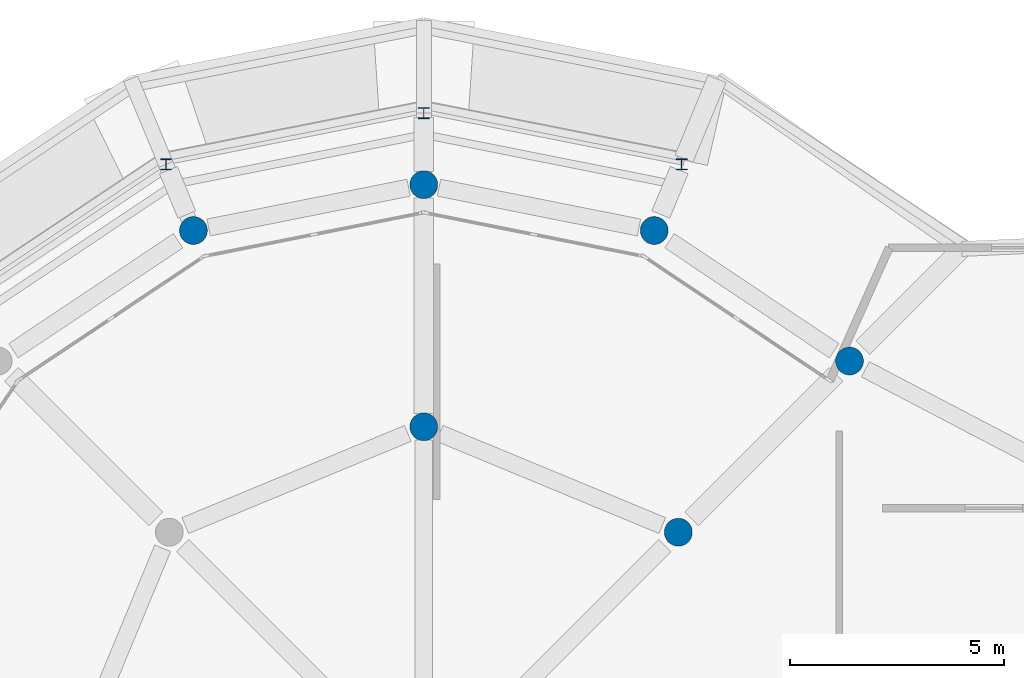
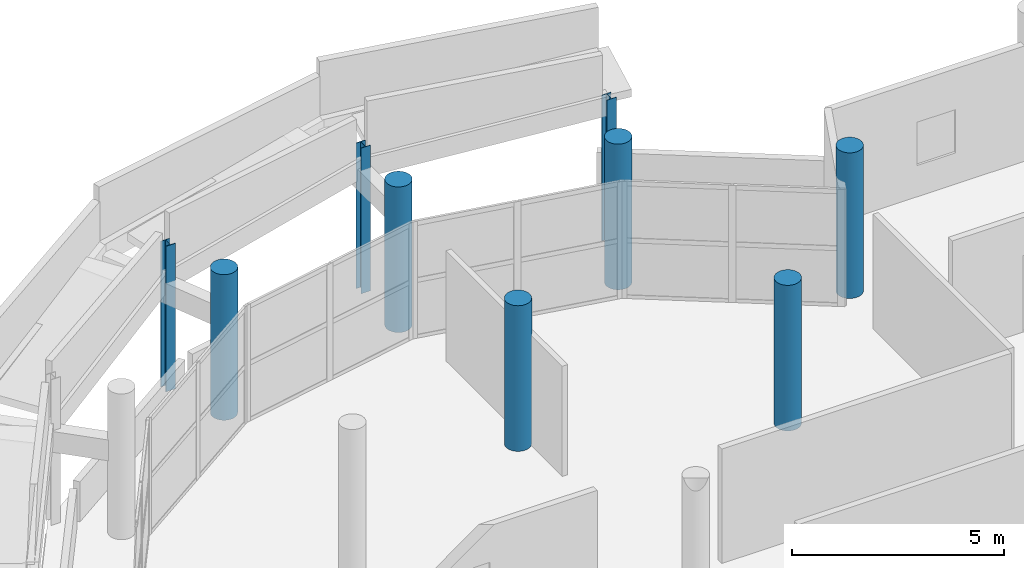
# One storey, part 4 of 83: 9 columns.
"""IFC4 building model written with IfcOpenShell, lengths in metres."""

from ifc_helpers import new_model, si_unit, direction, frame, origin, origin_2d, place, context, subcontext, project, spatial, circle, i_section, extrude, material, material_profile, profile_set, type_object, element, save


model = new_model("IFC4")

# Units and contexts
model_context = context("Model", 3, precision=1e-05, world=origin(), true_north=direction((0.0, 1.0)))
body_context = subcontext(model_context, "Body", "Model", "MODEL_VIEW")
ifc_project = project(units=[si_unit("LENGTHUNIT", "METRE"), si_unit("AREAUNIT", "SQUARE_METRE"), si_unit("VOLUMEUNIT", "CUBIC_METRE"), si_unit("PLANEANGLEUNIT", "RADIAN"), si_unit("MASSUNIT", "GRAM", prefix="KILO")], contexts=[model_context])

# Site, building, storey
site_placement = place(None, origin())
site = spatial("IfcSite", under=ifc_project, at=site_placement, CompositionType="ELEMENT")
building_placement = place(site_placement, origin())
building = spatial("IfcBuilding", under=site, at=building_placement, Name="Jelvoka-Kovrelna Polytechnic", CompositionType="ELEMENT")
storey_placement = place(building_placement, frame((0.0, 0.0, 13.800048828125)))
storey = spatial("IfcBuildingStorey", under=building, at=storey_placement, Name="L04", CompositionType="ELEMENT", Elevation=13.800048828125)

# Columns
ifc_material_1 = material(Name="Concrete C40/50", Category="concrete")
ifc_material_profile_1 = material_profile(ifc_material_1, circle(Radius=0.324951171875, at=origin_2d()), Name="RC D650")
ifc_profile_set_1 = profile_set([ifc_material_profile_1], Name="Concrete C40/50")
column_type_1 = type_object("IfcColumnType", Name="Col_RC_D650", PredefinedType="COLUMN", material=ifc_profile_set_1)
for number, where, z_axis, x_axis, name in (
    (1, (31.439697265625, 48.439697265625, 0.0), (0.0, 0.0, 1.0), (1.0, 0.0, 0.0), "L04 column 0928"),
    (2, (25.5, 50.89990234375, 0.0), (0.0, 0.0, 1.0), (1.0, 0.0, 0.0), "L04 column 0940"),
    (3, (35.434814453125, 52.434814453125, 0.0), (0.0, 0.0, 1.0), (1.0, 0.0, 0.0), "L04 column 0952"),
    (4, (20.123291015625, 55.48046875, 0.0), (0.0, 0.0, 1.0), (1.0, 0.0, 0.0), "L04 column 0964"),
    (5, (30.876708984375, 55.48046875, 0.0), (0.0, 0.0, 1.0), (1.0, 0.0, 0.0), "L04 column 0970"),
    (6, (25.5, 56.550048828125, 0.0), (0.0, 0.0, 1.0), (1.0, 0.0, 0.0), "L04 column 1137"),
):
    element("IfcColumn", number, at=place(storey_placement, frame(where, z_axis=z_axis, x_axis=x_axis)), inside=storey, type_object=column_type_1, Name=name, PredefinedType="COLUMN", context=body_context, shape_type="SweptSolid", body=[
        extrude(circle(Radius=0.324951171875, at=origin_2d()), origin(), (0.0, 0.0, 1.0), 4.199951171875),
    ])
ifc_material_2 = material(Name="Structural steel S355JR", Category="steel")
ifc_material_profile_2 = material_profile(ifc_material_2, i_section(OverallWidth=0.254638671875, OverallDepth=0.254150390625, WebThickness=0.008544921875, FlangeThickness=0.01416015625, FilletRadius=0.0126953125, at=origin_2d()), Name="254x254x73 UC")
ifc_profile_set_2 = profile_set([ifc_material_profile_2], Name="Structural steel S355JR")
column_type_2 = type_object("IfcColumnType", Name="Col_Steel_UC254", PredefinedType="COLUMN", material=ifc_profile_set_2)
for number, where, z_axis, x_axis, name in (
    (7, (31.515869140625, 57.0234375, 0.0), (0.0, 0.0, 1.0), (1.0, 0.0, 0.0), "L04 recessed rotunda gallery post 1726"),
    (8, (25.5, 58.219970703125, 0.0), (0.0, 0.0, 1.0), (1.0, 0.0, 0.0), "L04 recessed rotunda gallery post 1732"),
    (9, (19.484130859375, 57.0234375, 0.0), (0.0, 0.0, 1.0), (1.0, 0.0, 0.0), "L04 recessed rotunda gallery post 1738"),
):
    element("IfcColumn", number, at=place(storey_placement, frame(where, z_axis=z_axis, x_axis=x_axis)), inside=storey, type_object=column_type_2, Name=name, PredefinedType="COLUMN", context=body_context, shape_type="SweptSolid", body=[
        extrude(i_section(OverallWidth=0.254638671875, OverallDepth=0.254150390625, WebThickness=0.008544921875, FlangeThickness=0.01416015625, FilletRadius=0.0126953125, at=origin_2d()), origin(), (0.0, 0.0, 1.0), 4.199951171875),
    ])

save(model, "model.ifc")
